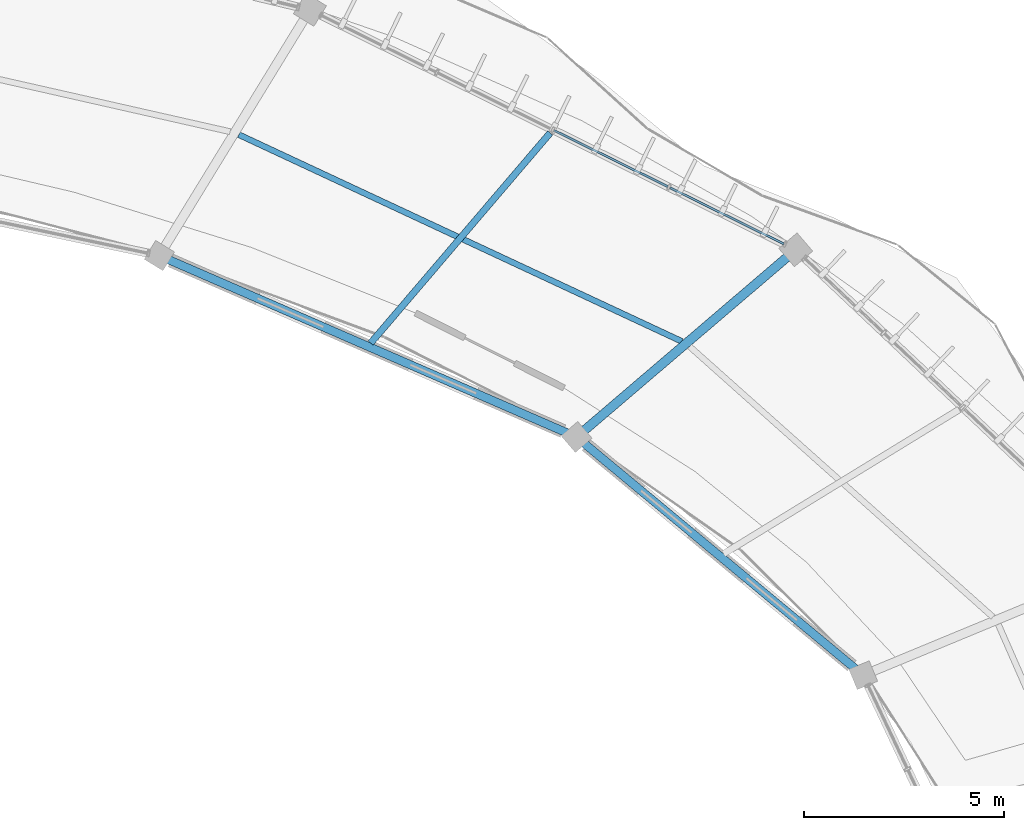
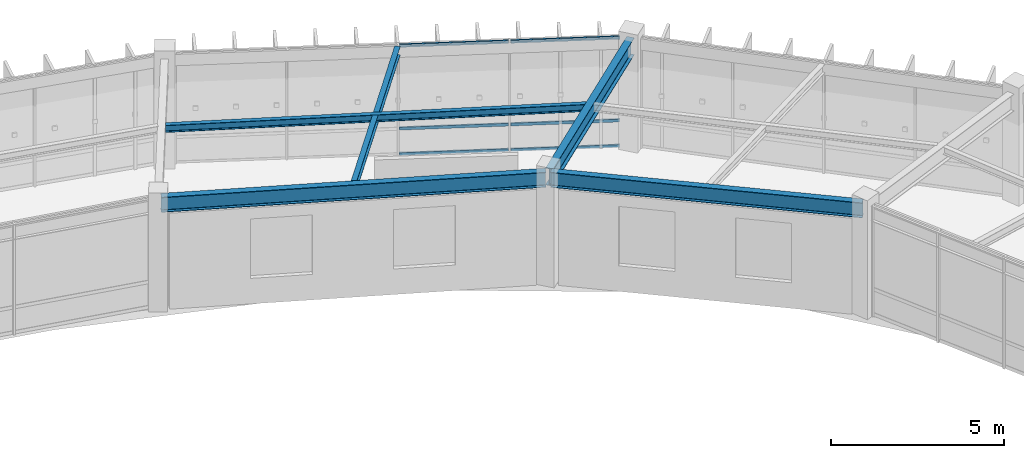
# One storey, part 47 of 83: 6 members, 5 beams, 1 element without a shape of its own.
"""IFC4 building model written with IfcOpenShell, lengths in metres."""

import ifcopenshell
import ifcopenshell.guid

model = None  # the IFC model being written
_history = None  # IfcOwnerHistory: only IFC2X3 demands one
_inside = {}  # id of a spatial element -> (the spatial element, [elements in it])
_under = {}  # id of a project, library or spatial element -> (it, [spatial elements below it])
_declared = {}  # id of a project -> (the project, [libraries it declares])
_typed = {}  # id of a type object -> (the type object, [elements of that type])
_made_of = {}  # id of a material, layer set ... -> (it, [elements and type objects made of it])


def new_model(schema):
    """Start an empty IFC model of exactly this schema.

    Asked for "IFC4X3", IfcOpenShell would pick the latest addendum, in which some entities
    have other attributes; the version numbers below select the first issue.
    IFC2X3 requires an IfcOwnerHistory on every rooted entity: one is made here for all.
    """
    global model, _history
    if schema == "IFC4X3":
        model = ifcopenshell.file(schema_version=(4, 3, 0, 0))
    else:
        model = ifcopenshell.file(schema=schema)
    _inside.clear()
    _under.clear()
    _declared.clear()
    _typed.clear()
    _made_of.clear()
    _history = None
    if model.schema == "IFC2X3":
        org = make("IfcOrganization", Name="unknown")
        user = make(
            "IfcPersonAndOrganization",
            ThePerson=make("IfcPerson", FamilyName="unknown"),
            TheOrganization=org,
        )
        app = make(
            "IfcApplication",
            ApplicationDeveloper=org,
            Version="unknown",
            ApplicationFullName="unknown",
            ApplicationIdentifier="unknown",
        )
        _history = make(
            "IfcOwnerHistory",
            OwningUser=user,
            OwningApplication=app,
            ChangeAction="ADDED",
            CreationDate=0,
        )
    return model


def make(cls, **values):
    """One entity of the class cls with the attributes given. An attribute that is None is left unset."""
    return model.create_entity(
        cls, **{name: value for name, value in values.items() if value is not None}
    )


def rooted(cls, **values):
    """An entity with a GlobalId (a new one), such as an element, a storey or a relation."""
    return make(cls, GlobalId=ifcopenshell.guid.new(), OwnerHistory=_history, **values)


def si_unit(unit_type, name, prefix=None):
    """IfcSIUnit, for example si_unit("LENGTHUNIT", "METRE", prefix="MILLI")."""
    return make("IfcSIUnit", UnitType=unit_type, Prefix=prefix, Name=name)


def assignment(units):
    """IfcUnitAssignment: the units of a project."""
    return None if units is None else make("IfcUnitAssignment", Units=units)


def point(xyz):
    """IfcCartesianPoint."""
    return None if xyz is None else make("IfcCartesianPoint", Coordinates=xyz)


def direction(xyz):
    """IfcDirection."""
    return None if xyz is None else make("IfcDirection", DirectionRatios=xyz)


def frame(location, z_axis=None, x_axis=None):
    """IfcAxis2Placement3D, a coordinate frame: its origin and axes. An axis left out is left unset."""
    return make(
        "IfcAxis2Placement3D",
        Location=point(location),
        Axis=direction(z_axis),
        RefDirection=direction(x_axis),
    )


def frame_2d(location, x_axis=None):
    """IfcAxis2Placement2D, a coordinate frame in the plane: its origin and x axis."""
    return make(
        "IfcAxis2Placement2D", Location=point(location), RefDirection=direction(x_axis)
    )


def origin():
    """The frame at (0, 0, 0) with its axes left unset."""
    return frame((0.0, 0.0, 0.0))


def origin_2d():
    """The frame at (0, 0) in the plane with its x axis left unset."""
    return frame_2d((0.0, 0.0))


def place(relative_to, where):
    """IfcLocalPlacement: puts the frame where relative to a parent placement (None: the world)."""
    return make(
        "IfcLocalPlacement", PlacementRelTo=relative_to, RelativePlacement=where
    )


def context(
    kind, dimensions, precision=None, world=None, true_north=None, identifier=None
):
    """IfcGeometricRepresentationContext, for example the 3D "Model" context."""
    return make(
        "IfcGeometricRepresentationContext",
        ContextIdentifier=identifier,
        ContextType=kind,
        CoordinateSpaceDimension=dimensions,
        Precision=precision,
        WorldCoordinateSystem=world,
        TrueNorth=true_north,
    )


def subcontext(parent, identifier, kind, view, scale=None):
    """IfcGeometricRepresentationSubContext, for example "Body" below "Model"."""
    return make(
        "IfcGeometricRepresentationSubContext",
        ContextIdentifier=identifier,
        ContextType=kind,
        ParentContext=parent,
        TargetScale=scale,
        TargetView=view,
    )


def project(units=None, contexts=None):
    """IfcProject with its units and contexts."""
    return rooted(
        "IfcProject",
        Name="project",
        RepresentationContexts=contexts,
        UnitsInContext=assignment(units),
    )


def spatial(cls, under=None, at=None, **own):
    """A site, building, storey or space (cls), placed at a placement, below another one or the project."""
    s = rooted(cls, ObjectPlacement=at, **own)
    if under is not None:
        _under.setdefault(under.id(), (under, []))[1].append(s)
    return s


def profile(cls, at=None, kind="AREA", **sizes):
    """A parametric profile (cls). Its sizes go by their IFC names, for example OverallWidth=200.0."""
    return make(cls, ProfileType=kind, Position=at, **sizes)


def hollow_rectangle(**sizes):
    """IfcRectangleHollowProfileDef."""
    return profile("IfcRectangleHollowProfileDef", **sizes)


def i_section(**sizes):
    """IfcIShapeProfileDef."""
    return profile("IfcIShapeProfileDef", **sizes)


def extrude(swept, where, along, depth):
    """IfcExtrudedAreaSolid: the profile swept, set in the frame where, extruded along a direction by depth."""
    return make(
        "IfcExtrudedAreaSolid",
        SweptArea=swept,
        Position=where,
        ExtrudedDirection=direction(along),
        Depth=depth,
    )


def shape(context_of_items, identifier, shape_type, items):
    """IfcShapeRepresentation: the items that make up one representation, for example the "Body"."""
    return make(
        "IfcShapeRepresentation",
        ContextOfItems=context_of_items,
        RepresentationIdentifier=identifier,
        RepresentationType=shape_type,
        Items=items,
    )


def material(Name=None, Category=None):
    """IfcMaterial."""
    return make("IfcMaterial", Name=Name, Category=Category)


def material_profile(
    of_material, cross_section, Name=None, Category=None, Priority=None
):
    """IfcMaterialProfile: a cross section and its material."""
    return make(
        "IfcMaterialProfile",
        Name=Name,
        Material=of_material,
        Profile=cross_section,
        Priority=Priority,
        Category=Category,
    )


def profile_set(profiles, Name=None, composite=None):
    """IfcMaterialProfileSet."""
    return make(
        "IfcMaterialProfileSet",
        Name=Name,
        MaterialProfiles=profiles,
        CompositeProfile=composite,
    )


def made_of(thing, what):
    """Note that an element or type object is made of a material, layer set ...; save() writes the relation."""
    if what is not None:
        _made_of.setdefault(what.id(), (what, []))[1].append(thing)
    return thing


def type_object(cls, material=None, **own):
    """A type object (cls), such as IfcWallType, which elements share."""
    return made_of(rooted(cls, **own), material)


def element(
    cls,
    number,
    at=None,
    inside=None,
    cuts=None,
    type_object=None,
    material=None,
    context=None,
    identifier="Body",
    shape_type=None,
    held_by="IfcProductDefinitionShape",
    body=None,
    shapes=None,
    **own,
):
    """One element of the class cls, such as IfcWall. Its Tag is "e" and its number.

    at: its placement. inside: the storey or other place that contains it. cuts: it is an
    opening in that element (IfcRelVoidsElement). A single representation is given by context,
    identifier, shape_type and body (its items); several are given by shapes. held_by: the class
    of the entity that holds the representations. save() writes the other relations.
    """
    e = rooted(cls, Tag="e%d" % number, ObjectPlacement=at, **own)
    if body is not None:
        shapes = [shape(context, identifier, shape_type, body)]
    if shapes is not None:
        e.Representation = make(held_by, Representations=shapes)
    if inside is not None:
        _inside.setdefault(inside.id(), (inside, []))[1].append(e)
    if cuts is not None:
        rooted(
            "IfcRelVoidsElement", RelatingBuildingElement=cuts, RelatedOpeningElement=e
        )
    if type_object is not None:
        _typed.setdefault(type_object.id(), (type_object, []))[1].append(e)
    return made_of(e, material)


def aggregate(whole, parts):
    """IfcRelAggregates: a whole, such as a stair, and the parts it consists of."""
    return rooted("IfcRelAggregates", RelatingObject=whole, RelatedObjects=parts)


def save(model, path):
    """Write the relations noted so far, then the file.

    IfcRelAggregates (storeys below a building ...), IfcRelContainedInSpatialStructure (elements
    in a storey), IfcRelDefinesByType, IfcRelAssociatesMaterial and IfcRelDeclares: one each for
    every whole, place, type object, material and project.
    """
    for whole, parts in _under.values():
        aggregate(whole, parts)
    for where, things in _inside.values():
        rooted(
            "IfcRelContainedInSpatialStructure",
            RelatedElements=things,
            RelatingStructure=where,
        )
    for kind, things in _typed.values():
        rooted("IfcRelDefinesByType", RelatedObjects=things, RelatingType=kind)
    for what, things in _made_of.values():
        rooted("IfcRelAssociatesMaterial", RelatedObjects=things, RelatingMaterial=what)
    for by, libraries in _declared.values():
        rooted("IfcRelDeclares", RelatingContext=by, RelatedDefinitions=libraries)
    model.write(path)


model = new_model("IFC4")

# Units and contexts
model_context = context("Model", 3, precision=1e-05, world=origin(), true_north=direction((0.0, 1.0)))
body_context = subcontext(model_context, "Body", "Model", "MODEL_VIEW")
ifc_project = project(units=[si_unit("LENGTHUNIT", "METRE"), si_unit("AREAUNIT", "SQUARE_METRE"), si_unit("VOLUMEUNIT", "CUBIC_METRE"), si_unit("PLANEANGLEUNIT", "RADIAN"), si_unit("MASSUNIT", "GRAM", prefix="KILO"), si_unit("THERMODYNAMICTEMPERATUREUNIT", "KELVIN"), si_unit("POWERUNIT", "WATT")], contexts=[model_context])

# Site, building, storey
site_placement = place(None, origin())
site = spatial("IfcSite", under=ifc_project, at=site_placement, CompositionType="ELEMENT")
building_placement = place(site_placement, origin())
building = spatial("IfcBuilding", under=site, at=building_placement, Name="Darbajah Civic Hall", CompositionType="ELEMENT")
storey_placement = place(building_placement, frame((0.0, 0.0, 18.0)))
storey = spatial("IfcBuildingStorey", under=building, at=storey_placement, Name="L04", CompositionType="ELEMENT", Elevation=18.0)

# Curtain wall, members
ifc_material_1 = material(Name="Anodised Bronze Aluminium and Low-E Glazing", Category="aluminium")
curtain_wall_type = type_object("IfcCurtainWallType", Name="Unitised Curtain Wall CW-56 12900x3900", PredefinedType="USERDEFINED", material=ifc_material_1)
curtain_wall_placement = place(storey_placement, origin())
curtain_wall = element("IfcCurtainWall", 1, at=curtain_wall_placement, inside=storey, type_object=curtain_wall_type, Name="L04 unitised curtain wall CW-V1O-L04-02", ObjectType="UNITISED CURTAIN WALL", PredefinedType="USERDEFINED")
ifc_material_2 = material(Name="Anodised Bronze Aluminium", Category="aluminium")
ifc_material_profile_1 = material_profile(ifc_material_2, hollow_rectangle(XDim=0.054931640625, YDim=0.10009765625, WallThickness=0.0029296875, at=origin_2d()), Name="ALU TRANSOM 55x100")
ifc_profile_set_1 = profile_set([ifc_material_profile_1], Name="Anodised Bronze Aluminium")
member_type = type_object("IfcMemberType", Name="ALU TRANSOM 55x100", PredefinedType="USERDEFINED", material=ifc_profile_set_1)
member_1_placement = place(storey_placement, frame((127.580810546875, 109.10693359375, 0.050048828125), z_axis=(-0.896559847895, 0.442922610782, 0.0), x_axis=(-0.442922610782, -0.896559847895, 0.0)))
member_1 = element("IfcMember", 2, at=member_1_placement, type_object=member_type, Name="CW-V1O-L04-02 transom 1.1", ObjectType="TRANSOM", PredefinedType="USERDEFINED", context=body_context, shape_type="SweptSolid", body=[
    extrude(hollow_rectangle(XDim=0.054931640625, YDim=0.10009765625, WallThickness=0.0029296875, at=origin_2d()), origin(), (0.0, 0.0, 1.0), 3.167236328125),
])
member_2_placement = place(storey_placement, frame((127.580810546875, 109.10693359375, 0.949951171875), z_axis=(-0.896559847895, 0.442922610782, 0.0), x_axis=(-0.442922610782, -0.896559847895, 0.0)))
member_2 = element("IfcMember", 3, at=member_2_placement, type_object=member_type, Name="CW-V1O-L04-02 transom 1.2", ObjectType="TRANSOM", PredefinedType="USERDEFINED", context=body_context, shape_type="SweptSolid", body=[
    extrude(hollow_rectangle(XDim=0.054931640625, YDim=0.10009765625, WallThickness=0.0029296875, at=origin_2d()), origin(), (0.0, 0.0, 1.0), 3.167236328125),
])
member_3_placement = place(storey_placement, frame((127.580810546875, 109.10693359375, 3.8701171875), z_axis=(-0.896559847895, 0.442922610782, 0.0), x_axis=(-0.442922610782, -0.896559847895, 0.0)))
member_3 = element("IfcMember", 4, at=member_3_placement, type_object=member_type, Name="CW-V1O-L04-02 transom 1.3", ObjectType="TRANSOM", PredefinedType="USERDEFINED", context=body_context, shape_type="SweptSolid", body=[
    extrude(hollow_rectangle(XDim=0.054931640625, YDim=0.10009765625, WallThickness=0.0029296875, at=origin_2d()), origin(), (0.0, 0.0, 1.0), 3.167236328125),
])
member_4_placement = place(storey_placement, frame((124.682861328125, 110.53857421875, 0.050048828125), z_axis=(-0.896559847895, 0.442922610782, 0.0), x_axis=(-0.442922610782, -0.896559847895, 0.0)))
member_4 = element("IfcMember", 5, at=member_4_placement, type_object=member_type, Name="CW-V1O-L04-02 transom 2.1", ObjectType="TRANSOM", PredefinedType="USERDEFINED", context=body_context, shape_type="SweptSolid", body=[
    extrude(hollow_rectangle(XDim=0.054931640625, YDim=0.10009765625, WallThickness=0.0029296875, at=origin_2d()), origin(), (0.0, 0.0, 1.0), 3.167236328125),
])
member_5_placement = place(storey_placement, frame((124.682861328125, 110.53857421875, 0.949951171875), z_axis=(-0.896559847895, 0.442922610782, 0.0), x_axis=(-0.442922610782, -0.896559847895, 0.0)))
member_5 = element("IfcMember", 6, at=member_5_placement, type_object=member_type, Name="CW-V1O-L04-02 transom 2.2", ObjectType="TRANSOM", PredefinedType="USERDEFINED", context=body_context, shape_type="SweptSolid", body=[
    extrude(hollow_rectangle(XDim=0.054931640625, YDim=0.10009765625, WallThickness=0.0029296875, at=origin_2d()), origin(), (0.0, 0.0, 1.0), 3.167236328125),
])
member_6_placement = place(storey_placement, frame((124.682861328125, 110.53857421875, 3.8701171875), z_axis=(-0.896559847895, 0.442922610782, 0.0), x_axis=(-0.442922610782, -0.896559847895, 0.0)))
member_6 = element("IfcMember", 7, at=member_6_placement, type_object=member_type, Name="CW-V1O-L04-02 transom 2.3", ObjectType="TRANSOM", PredefinedType="USERDEFINED", context=body_context, shape_type="SweptSolid", body=[
    extrude(hollow_rectangle(XDim=0.054931640625, YDim=0.10009765625, WallThickness=0.0029296875, at=origin_2d()), origin(), (0.0, 0.0, 1.0), 3.167236328125),
])
aggregate(curtain_wall, [member_1, member_2, member_3, member_4, member_5, member_6])

# Beams
ifc_material_3 = material(Name="Steel S355JR", Category="steel")
ifc_material_profile_2 = material_profile(ifc_material_3, i_section(OverallWidth=0.146484375, OverallDepth=0.256103515625, WebThickness=0.00634765625, FlangeThickness=0.010986328125, FilletRadius=0.007568359375, at=origin_2d()), Name="UB 254x146x37")
ifc_profile_set_2 = profile_set([ifc_material_profile_2], Name="Steel S355JR")
beam_type_1 = type_object("IfcBeamType", Name="UB 254x146x37", PredefinedType="JOIST", material=ifc_profile_set_2)
beam_1_placement = place(storey_placement, frame((125.0380859375, 106.669921875, 3.7919921875), z_axis=(-0.906187225773, 0.422876709982, 0.0), x_axis=(-0.422876709982, -0.906187225773, 0.0)))
element("IfcBeam", 8, at=beam_1_placement, inside=storey, type_object=beam_type_1, Name="L04 beam SJ-254", PredefinedType="JOIST", context=body_context, shape_type="SweptSolid", body=[
    extrude(i_section(OverallWidth=0.146484375, OverallDepth=0.256103515625, WebThickness=0.00634765625, FlangeThickness=0.010986328125, FilletRadius=0.007568359375, at=origin_2d()), origin(), (0.0, 0.0, 1.0), 12.21240234375),
])
ifc_material_profile_3 = material_profile(ifc_material_3, i_section(OverallWidth=0.165771484375, OverallDepth=0.306640625, WebThickness=0.006591796875, FlangeThickness=0.01171875, FilletRadius=0.0087890625, at=origin_2d()), Name="UB 305x165x46")
ifc_profile_set_3 = profile_set([ifc_material_profile_3], Name="Steel S355JR")
beam_type_2 = type_object("IfcBeamType", Name="UB 305x165x46", PredefinedType="JOIST", material=ifc_profile_set_3)
beam_2_placement = place(storey_placement, frame((117.264404296875, 106.62890625, 3.7666015625), z_axis=(0.649456456581, 0.760398784195, 0.0), x_axis=(-0.760398784195, 0.649456456581, 0.0)))
element("IfcBeam", 9, at=beam_2_placement, inside=storey, type_object=beam_type_2, Name="L04 beam SJ-305", PredefinedType="JOIST", context=body_context, shape_type="SweptSolid", body=[
    extrude(i_section(OverallWidth=0.165771484375, OverallDepth=0.306640625, WebThickness=0.006591796875, FlangeThickness=0.01171875, FilletRadius=0.0087890625, at=origin_2d()), origin(), (0.0, 0.0, 1.0), 6.9033203125),
])
ifc_material_profile_4 = material_profile(ifc_material_3, i_section(OverallWidth=0.209228515625, OverallDepth=0.533203125, WebThickness=0.010009765625, FlangeThickness=0.015625, FilletRadius=0.0126953125, at=origin_2d()), Name="UB 533x210x92")
ifc_profile_set_4 = profile_set([ifc_material_profile_4], Name="Steel S355JR")
beam_type_3 = type_object("IfcBeamType", Name="UB 533x210x92", PredefinedType="BEAM", material=ifc_profile_set_4)
beam_3_placement = place(storey_placement, frame((129.50439453125, 98.385009765625, 3.653564453125), z_axis=(-0.769165350471, 0.63904981311, 0.0), x_axis=(-0.63904981311, -0.769165350471, 0.0)))
element("IfcBeam", 10, at=beam_3_placement, inside=storey, type_object=beam_type_3, Name="L04 beam SB-533", PredefinedType="BEAM", context=body_context, shape_type="SweptSolid", body=[
    extrude(i_section(OverallWidth=0.209228515625, OverallDepth=0.533203125, WebThickness=0.010009765625, FlangeThickness=0.015625, FilletRadius=0.0126953125, at=origin_2d()), origin(), (0.0, 0.0, 1.0), 9.14892578125),
])
beam_4_placement = place(storey_placement, frame((122.33251953125, 104.314697265625, 3.653564453125), z_axis=(-0.91705481115, 0.398761173319, 0.0), x_axis=(-0.398761173319, -0.91705481115, 0.0)))
element("IfcBeam", 11, at=beam_4_placement, inside=storey, type_object=beam_type_3, Name="L04 beam SB-533", PredefinedType="BEAM", context=body_context, shape_type="SweptSolid", body=[
    extrude(i_section(OverallWidth=0.209228515625, OverallDepth=0.533203125, WebThickness=0.010009765625, FlangeThickness=0.015625, FilletRadius=0.0126953125, at=origin_2d()), origin(), (0.0, 0.0, 1.0), 11.202880859375),
])
ifc_material_profile_5 = material_profile(ifc_material_3, i_section(OverallWidth=0.228271484375, OverallDepth=0.607666015625, WebThickness=0.010986328125, FlangeThickness=0.017333984375, FilletRadius=0.0126953125, at=origin_2d()), Name="UB 610x229x113")
ifc_profile_set_5 = profile_set([ifc_material_profile_5], Name="Steel S355JR")
beam_type_4 = type_object("IfcBeamType", Name="UB 610x229x113", PredefinedType="BEAM", material=ifc_profile_set_5)
beam_5_placement = place(storey_placement, frame((122.466552734375, 104.334716796875, 3.6162109375), z_axis=(0.760413281686, 0.649439482197, 0.0), x_axis=(-0.649439482197, 0.760413281686, 0.0)))
element("IfcBeam", 12, at=beam_5_placement, inside=storey, type_object=beam_type_4, Name="L04 beam SB-610", PredefinedType="BEAM", context=body_context, shape_type="SweptSolid", body=[
    extrude(i_section(OverallWidth=0.228271484375, OverallDepth=0.607666015625, WebThickness=0.010986328125, FlangeThickness=0.017333984375, FilletRadius=0.0126953125, at=origin_2d()), origin(), (0.0, 0.0, 1.0), 7.0400390625),
])

save(model, "model.ifc")
